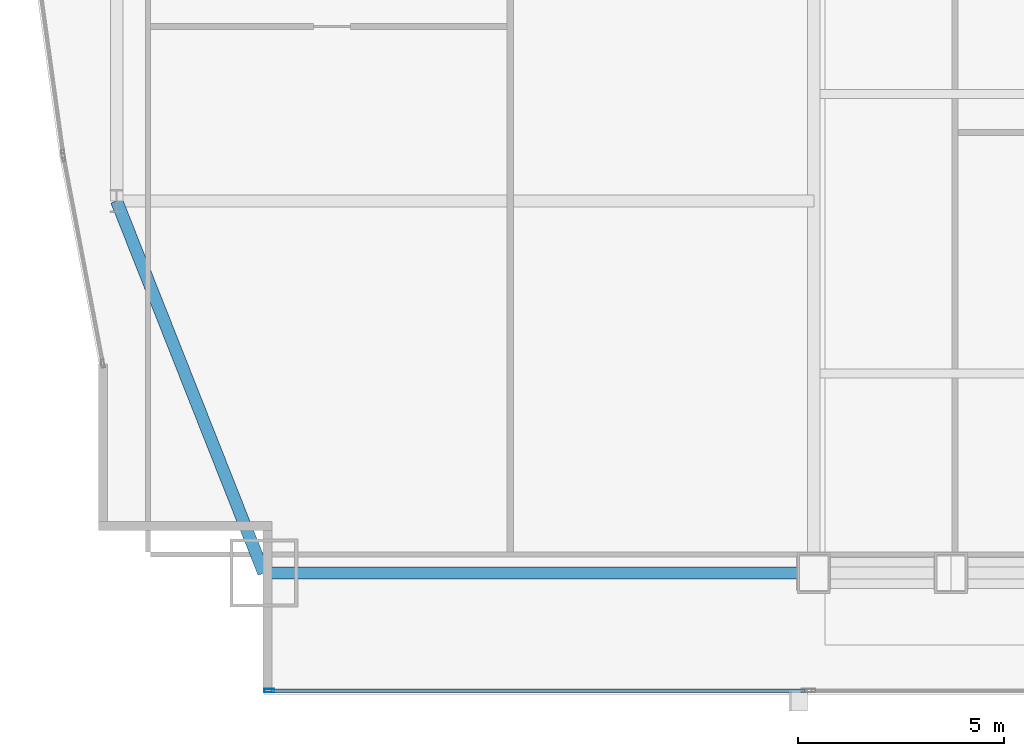
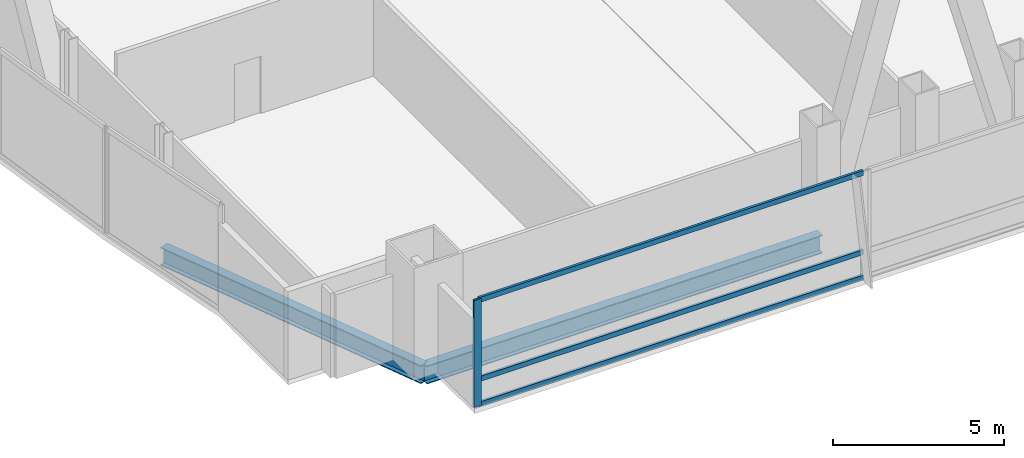
# One storey, part 5 of 37: 4 members, 2 beams, 1 element without a shape of its own.
"""IFC4 building model written with IfcOpenShell, lengths in metres."""

from ifc_helpers import new_model, si_unit, direction, frame, origin, origin_2d, place, context, subcontext, project, spatial, hollow_rectangle, i_section, extrude, material, material_profile, profile_set, type_object, element, aggregate, save


model = new_model("IFC4")

# Units and contexts
model_context = context("Model", 3, precision=1e-05, world=origin(), true_north=direction((0.0, 1.0)))
body_context = subcontext(model_context, "Body", "Model", "MODEL_VIEW")
ifc_project = project(units=[si_unit("LENGTHUNIT", "METRE"), si_unit("AREAUNIT", "SQUARE_METRE"), si_unit("VOLUMEUNIT", "CUBIC_METRE"), si_unit("PLANEANGLEUNIT", "RADIAN"), si_unit("MASSUNIT", "GRAM", prefix="KILO")], contexts=[model_context])

# Site, building, storey
site_placement = place(None, origin())
site = spatial("IfcSite", under=ifc_project, at=site_placement, CompositionType="ELEMENT")
building_placement = place(site_placement, origin())
building = spatial("IfcBuilding", under=site, at=building_placement, Name="Khoronbel Lancet Exchange", CompositionType="ELEMENT")
storey_placement = place(building_placement, frame((0.0, 0.0, 61.800048828125)))
storey = spatial("IfcBuildingStorey", under=building, at=storey_placement, Name="L14", CompositionType="ELEMENT", Elevation=61.800048828125)

# Beams
ifc_material_1 = material(Name="Steel S355", Category="steel")
ifc_material_profile_1 = material_profile(ifc_material_1, i_section(OverallWidth=0.300048828125, OverallDepth=0.64990234375, WebThickness=0.01611328125, FlangeThickness=0.031005859375, at=origin_2d()), Name="HEB 650")
ifc_profile_set_1 = profile_set([ifc_material_profile_1], Name="Steel S355")
beam_type = type_object("IfcBeamType", Name="BM-BSP1", PredefinedType="SPANDREL", material=ifc_profile_set_1)
beam_1_placement = place(storey_placement, frame((4.85009765625, 10.14990234375, -0.505126953125), z_axis=(1.0, 0.0, 0.0), x_axis=(0.0, 1.0, 0.0)))
element("IfcBeam", 1, at=beam_1_placement, inside=storey, type_object=beam_type, Name="Level L14 perimeter spandrel beam SP01", PredefinedType="SPANDREL", context=body_context, shape_type="SweptSolid", body=[
    extrude(i_section(OverallWidth=0.300048828125, OverallDepth=0.64990234375, WebThickness=0.01611328125, FlangeThickness=0.031005859375, at=origin_2d()), origin(), (0.0, 0.0, 1.0), 13.375),
])
beam_2_placement = place(storey_placement, frame((1.27001953125, 19.199951171875, -0.505126953125), z_axis=(0.367850095026, -0.92988510451, 0.0), x_axis=(0.92988510451, 0.367850095026, 0.0)))
element("IfcBeam", 2, at=beam_2_placement, inside=storey, type_object=beam_type, Name="Level L14 perimeter spandrel beam SP21", PredefinedType="SPANDREL", context=body_context, shape_type="SweptSolid", body=[
    extrude(i_section(OverallWidth=0.300048828125, OverallDepth=0.64990234375, WebThickness=0.01611328125, FlangeThickness=0.031005859375, at=origin_2d()), origin(), (0.0, 0.0, 1.0), 9.732421875),
])

# Curtain wall, members
ifc_material_2 = material(Name="Low-E Solar Control Insulating Glass", Category="glass")
curtain_wall_type = type_object("IfcCurtainWallType", Name="CW-1", PredefinedType="NOTDEFINED", material=ifc_material_2)
curtain_wall_placement = place(storey_placement, origin())
curtain_wall = element("IfcCurtainWall", 3, at=curtain_wall_placement, inside=storey, type_object=curtain_wall_type, Name="Unitised curtain wall CW-L14-SWV", PredefinedType="NOTDEFINED")
ifc_material_3 = material(Name="Bronze-Anodised Aluminium 6063-T6", Category="aluminium")
ifc_material_profile_2 = material_profile(ifc_material_3, hollow_rectangle(XDim=0.0849609375, YDim=0.239990234375, WallThickness=0.006103515625, at=origin_2d()), Name="ALU MULLION 85x240")
ifc_profile_set_2 = profile_set([ifc_material_profile_2], Name="Bronze-Anodised Aluminium 6063-T6")
member_type_1 = type_object("IfcMemberType", Name="MEM-CWM1", PredefinedType="MULLION", material=ifc_profile_set_2)
member_1_placement = place(storey_placement, frame((4.982421875, 7.2900390625, 0.0), z_axis=(0.0, 0.0, 1.0), x_axis=(0.0, 1.0, 0.0)))
member_1 = element("IfcMember", 4, at=member_1_placement, type_object=member_type_1, Name="CW1 mullion 1", PredefinedType="MULLION", context=body_context, shape_type="SweptSolid", body=[
    extrude(hollow_rectangle(XDim=0.0849609375, YDim=0.239990234375, WallThickness=0.006103515625, at=origin_2d()), origin(), (0.0, 0.0, 1.0), 3.820068359375),
])
ifc_material_profile_3 = material_profile(ifc_material_3, hollow_rectangle(XDim=0.0849609375, YDim=0.179931640625, WallThickness=0.0048828125, at=origin_2d()), Name="ALU TRANSOM 85x180")
ifc_profile_set_3 = profile_set([ifc_material_profile_3], Name="Bronze-Anodised Aluminium 6063-T6")
member_type_2 = type_object("IfcMemberType", Name="MEM-CWT1", PredefinedType="USERDEFINED", material=ifc_profile_set_3)
member_2_placement = place(storey_placement, frame((5.02490234375, 7.2900390625, 0.04248046875), z_axis=(1.0, 0.0, 0.0), x_axis=(0.0, 1.0, 0.0)))
member_2 = element("IfcMember", 5, at=member_2_placement, type_object=member_type_2, Name="CW1 transom 1.1", ObjectType="TRANSOM", PredefinedType="USERDEFINED", context=body_context, shape_type="SweptSolid", body=[
    extrude(hollow_rectangle(XDim=0.0849609375, YDim=0.179931640625, WallThickness=0.0048828125, at=origin_2d()), origin(), (0.0, 0.0, 1.0), 12.989990234375),
])
member_3_placement = place(storey_placement, frame((5.02490234375, 7.2900390625, 0.949951171875), z_axis=(1.0, 0.0, 0.0), x_axis=(0.0, 1.0, 0.0)))
member_3 = element("IfcMember", 6, at=member_3_placement, type_object=member_type_2, Name="CW1 transom 1.2", ObjectType="TRANSOM", PredefinedType="USERDEFINED", context=body_context, shape_type="SweptSolid", body=[
    extrude(hollow_rectangle(XDim=0.0849609375, YDim=0.179931640625, WallThickness=0.0048828125, at=origin_2d()), origin(), (0.0, 0.0, 1.0), 12.989990234375),
])
member_4_placement = place(storey_placement, frame((5.02490234375, 7.2900390625, 3.77734375), z_axis=(1.0, 0.0, 0.0), x_axis=(0.0, 1.0, 0.0)))
member_4 = element("IfcMember", 7, at=member_4_placement, type_object=member_type_2, Name="CW1 transom 1.3", ObjectType="TRANSOM", PredefinedType="USERDEFINED", context=body_context, shape_type="SweptSolid", body=[
    extrude(hollow_rectangle(XDim=0.0849609375, YDim=0.179931640625, WallThickness=0.0048828125, at=origin_2d()), origin(), (0.0, 0.0, 1.0), 12.989990234375),
])
aggregate(curtain_wall, [member_1, member_2, member_3, member_4])

save(model, "model.ifc")
